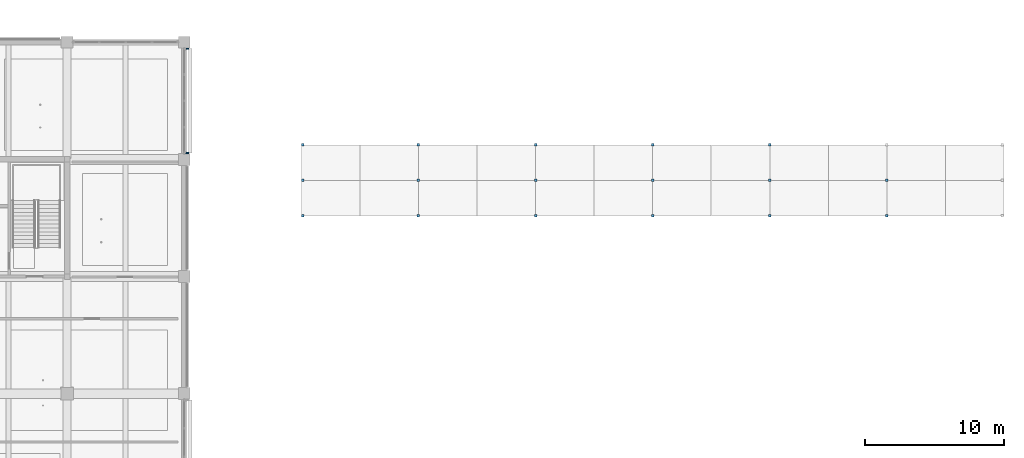
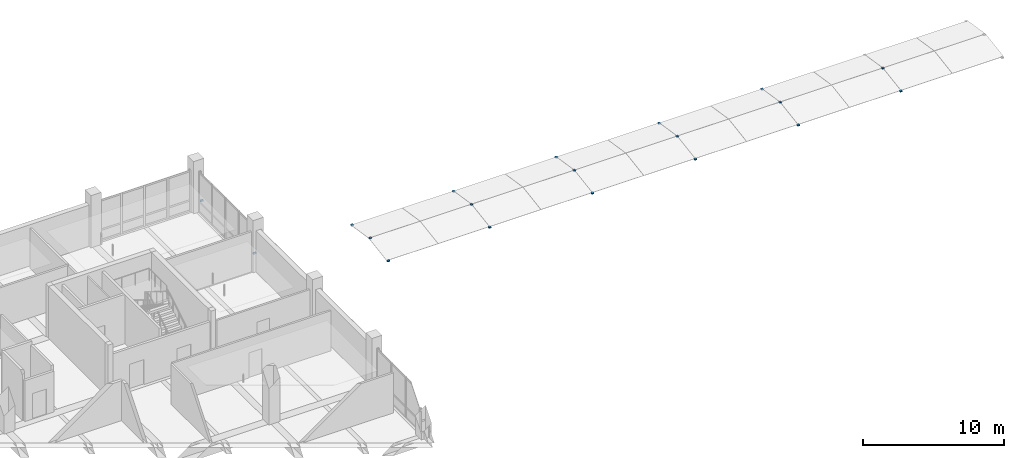
# One storey, part 24 of 39: 19 discrete accessories.
"""IFC4 building model written with IfcOpenShell, lengths in metres."""

from ifc_helpers import new_model, si_unit, direction, frame, origin, origin_2d, place, context, subcontext, project, spatial, rectangle, extrude, material, type_object, element, save


model = new_model("IFC4")

# Units and contexts
model_context = context("Model", 3, precision=1e-05, world=origin(), true_north=direction((0.0, 1.0)))
body_context = subcontext(model_context, "Body", "Model", "MODEL_VIEW")
ifc_project = project(units=[si_unit("LENGTHUNIT", "METRE"), si_unit("AREAUNIT", "SQUARE_METRE"), si_unit("VOLUMEUNIT", "CUBIC_METRE"), si_unit("PLANEANGLEUNIT", "RADIAN"), si_unit("MASSUNIT", "GRAM", prefix="KILO")], contexts=[model_context])

# Site, building, storey
site_placement = place(None, origin())
site = spatial("IfcSite", under=ifc_project, at=site_placement, CompositionType="ELEMENT")
building_placement = place(site_placement, origin())
building = spatial("IfcBuilding", under=site, at=building_placement, Name="Telukmera Botanical Conservatory", CompositionType="ELEMENT")
storey_placement = place(building_placement, frame((0.0, 0.0, 19.5)))
storey = spatial("IfcBuildingStorey", under=building, at=storey_placement, Name="L04", CompositionType="ELEMENT", Elevation=19.5)

# Discrete accessories
ifc_material = material(Name="Steel S355", Category="steel")
discrete_accessory_type_1 = type_object("IfcDiscreteAccessoryType", Name="Structural Steel Facade Outrigger Fin Bracket", PredefinedType="BRACKET", material=ifc_material)
for number, where, z_axis, x_axis, name in (
    (1, (109.39990234375, 34.859619140625, 0.8798828125), (0.0, 0.0, 1.0), (0.0, 1.0, 0.0), "Facade Outrigger Bracket V4:L04:E4 A"),
    (2, (109.39990234375, 42.340576171875, 0.8798828125), (0.0, 0.0, 1.0), (0.0, 1.0, 0.0), "Facade Outrigger Bracket V4:L04:E4 B"),
):
    element("IfcDiscreteAccessory", number, at=place(storey_placement, frame(where, z_axis=z_axis, x_axis=x_axis)), inside=storey, type_object=discrete_accessory_type_1, Name=name, PredefinedType="BRACKET", context=body_context, shape_type="SweptSolid", body=[
        extrude(rectangle(XDim=0.10009765625, YDim=0.239990234375, at=origin_2d()), origin(), (0.0, 0.0, 1.0), 0.139892578125),
    ])
discrete_accessory_type_2 = type_object("IfcDiscreteAccessoryType", Name="Structural Steel Gridshell Glazing Shoe Bracket", PredefinedType="BRACKET", material=ifc_material)
for number, where, z_axis, x_axis, name in (
    (3, (117.719970703125, 30.35009765625, 0.06494140625), (0.0, 0.0, 1.0), (1.0, 0.0, 0.0), "Conservatory Node Glazing Spider Bracket 00-05"),
    (4, (117.719970703125, 32.89990234375, 0.46484375), (0.0, 0.0, 1.0), (1.0, 0.0, 0.0), "Conservatory Node Glazing Spider Bracket 00-06"),
    (5, (117.719970703125, 35.449951171875, 0.06494140625), (0.0, 0.0, 1.0), (1.0, 0.0, 0.0), "Conservatory Node Glazing Spider Bracket 00-07"),
    (6, (126.0, 30.35009765625, 0.06494140625), (0.0, 0.0, 1.0), (1.0, 0.0, 0.0), "Conservatory Node Glazing Spider Bracket 02-05"),
    (7, (126.0, 32.89990234375, 0.46484375), (0.0, 0.0, 1.0), (1.0, 0.0, 0.0), "Conservatory Node Glazing Spider Bracket 02-06"),
    (8, (126.0, 35.449951171875, 0.06494140625), (0.0, 0.0, 1.0), (1.0, 0.0, 0.0), "Conservatory Node Glazing Spider Bracket 02-07"),
    (9, (134.39990234375, 30.35009765625, 0.06494140625), (0.0, 0.0, 1.0), (1.0, 0.0, 0.0), "Conservatory Node Glazing Spider Bracket 04-05"),
    (10, (134.39990234375, 32.89990234375, 0.46484375), (0.0, 0.0, 1.0), (1.0, 0.0, 0.0), "Conservatory Node Glazing Spider Bracket 04-06"),
    (11, (134.39990234375, 35.449951171875, 0.06494140625), (0.0, 0.0, 1.0), (1.0, 0.0, 0.0), "Conservatory Node Glazing Spider Bracket 04-07"),
    (12, (142.800048828125, 30.35009765625, 0.06494140625), (0.0, 0.0, 1.0), (1.0, 0.0, 0.0), "Conservatory Node Glazing Spider Bracket 06-05"),
    (13, (142.800048828125, 32.89990234375, 0.46484375), (0.0, 0.0, 1.0), (1.0, 0.0, 0.0), "Conservatory Node Glazing Spider Bracket 06-06"),
    (14, (142.800048828125, 35.449951171875, 0.06494140625), (0.0, 0.0, 1.0), (1.0, 0.0, 0.0), "Conservatory Node Glazing Spider Bracket 06-07"),
    (15, (151.199951171875, 30.35009765625, 0.06494140625), (0.0, 0.0, 1.0), (1.0, 0.0, 0.0), "Conservatory Node Glazing Spider Bracket 08-05"),
    (16, (151.199951171875, 32.89990234375, 0.46484375), (0.0, 0.0, 1.0), (1.0, 0.0, 0.0), "Conservatory Node Glazing Spider Bracket 08-06"),
    (17, (151.199951171875, 35.449951171875, 0.06494140625), (0.0, 0.0, 1.0), (1.0, 0.0, 0.0), "Conservatory Node Glazing Spider Bracket 08-07"),
    (18, (159.60009765625, 30.35009765625, 0.06494140625), (0.0, 0.0, 1.0), (1.0, 0.0, 0.0), "Conservatory Node Glazing Spider Bracket 10-05"),
    (19, (159.60009765625, 32.89990234375, 0.46484375), (0.0, 0.0, 1.0), (1.0, 0.0, 0.0), "Conservatory Node Glazing Spider Bracket 10-06"),
):
    element("IfcDiscreteAccessory", number, at=place(storey_placement, frame(where, z_axis=z_axis, x_axis=x_axis)), inside=storey, type_object=discrete_accessory_type_2, Name=name, PredefinedType="BRACKET", context=body_context, shape_type="SweptSolid", body=[
        extrude(rectangle(XDim=0.179931640625, YDim=0.179931640625, at=origin_2d()), origin(), (0.0, 0.0, 1.0), 0.094970703125),
    ])

save(model, "model.ifc")
